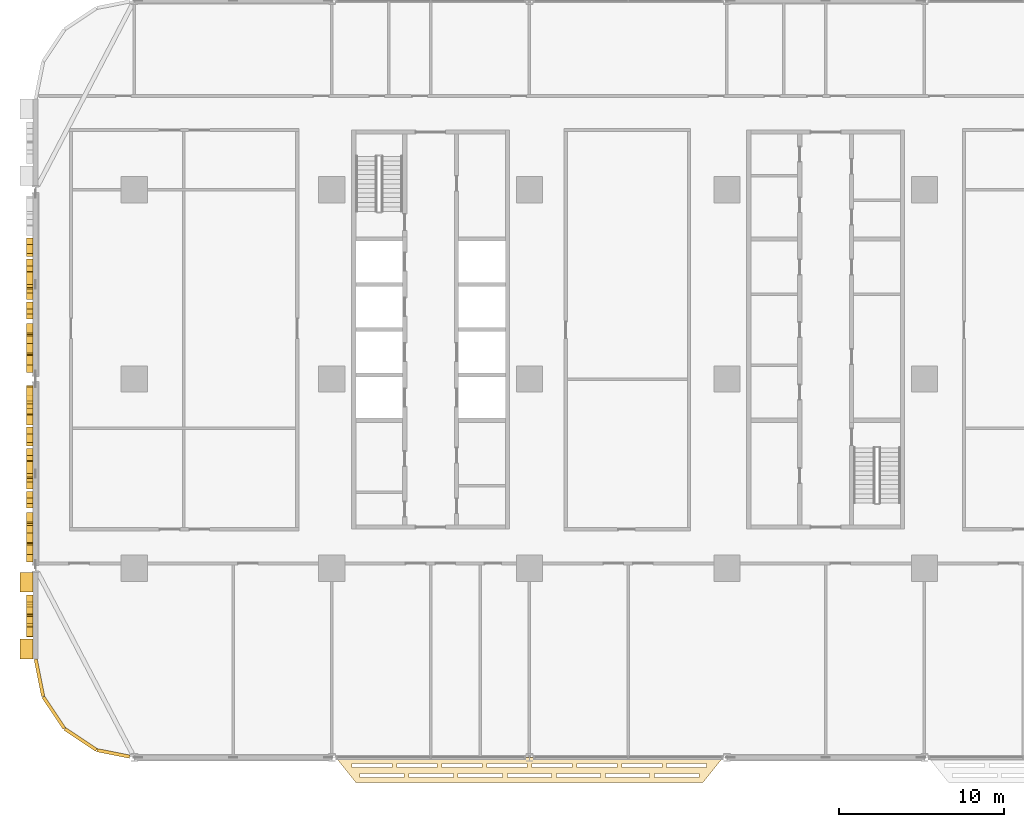
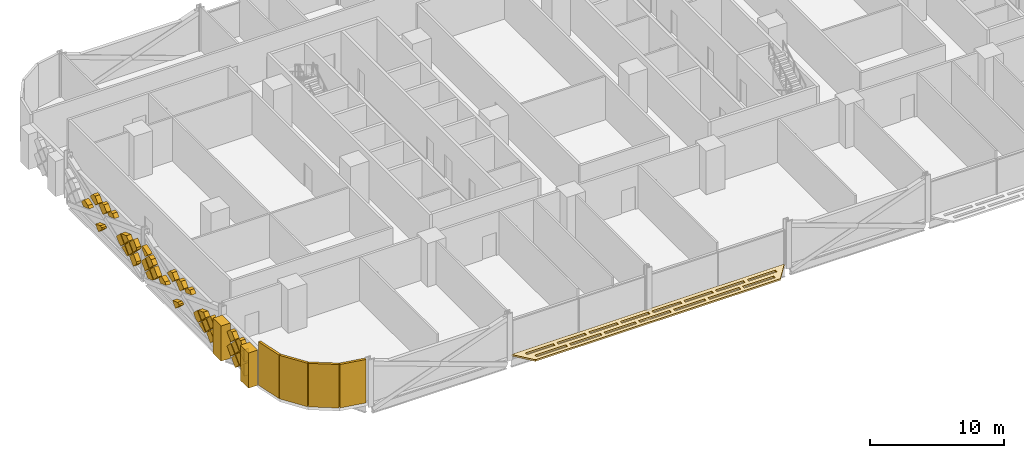
# One storey, part 23 of 29: 42 coverings.
"""IFC4 building model written with IfcOpenShell, lengths in metres."""

import ifcopenshell
import ifcopenshell.guid

model = None  # the IFC model being written
_history = None  # IfcOwnerHistory: only IFC2X3 demands one
_inside = {}  # id of a spatial element -> (the spatial element, [elements in it])
_under = {}  # id of a project, library or spatial element -> (it, [spatial elements below it])
_declared = {}  # id of a project -> (the project, [libraries it declares])
_typed = {}  # id of a type object -> (the type object, [elements of that type])
_made_of = {}  # id of a material, layer set ... -> (it, [elements and type objects made of it])


def new_model(schema):
    """Start an empty IFC model of exactly this schema.

    Asked for "IFC4X3", IfcOpenShell would pick the latest addendum, in which some entities
    have other attributes; the version numbers below select the first issue.
    IFC2X3 requires an IfcOwnerHistory on every rooted entity: one is made here for all.
    """
    global model, _history
    if schema == "IFC4X3":
        model = ifcopenshell.file(schema_version=(4, 3, 0, 0))
    else:
        model = ifcopenshell.file(schema=schema)
    _inside.clear()
    _under.clear()
    _declared.clear()
    _typed.clear()
    _made_of.clear()
    _history = None
    if model.schema == "IFC2X3":
        org = make("IfcOrganization", Name="unknown")
        user = make(
            "IfcPersonAndOrganization",
            ThePerson=make("IfcPerson", FamilyName="unknown"),
            TheOrganization=org,
        )
        app = make(
            "IfcApplication",
            ApplicationDeveloper=org,
            Version="unknown",
            ApplicationFullName="unknown",
            ApplicationIdentifier="unknown",
        )
        _history = make(
            "IfcOwnerHistory",
            OwningUser=user,
            OwningApplication=app,
            ChangeAction="ADDED",
            CreationDate=0,
        )
    return model


def make(cls, **values):
    """One entity of the class cls with the attributes given. An attribute that is None is left unset."""
    return model.create_entity(
        cls, **{name: value for name, value in values.items() if value is not None}
    )


def rooted(cls, **values):
    """An entity with a GlobalId (a new one), such as an element, a storey or a relation."""
    return make(cls, GlobalId=ifcopenshell.guid.new(), OwnerHistory=_history, **values)


def si_unit(unit_type, name, prefix=None):
    """IfcSIUnit, for example si_unit("LENGTHUNIT", "METRE", prefix="MILLI")."""
    return make("IfcSIUnit", UnitType=unit_type, Prefix=prefix, Name=name)


def assignment(units):
    """IfcUnitAssignment: the units of a project."""
    return None if units is None else make("IfcUnitAssignment", Units=units)


def point(xyz):
    """IfcCartesianPoint."""
    return None if xyz is None else make("IfcCartesianPoint", Coordinates=xyz)


def direction(xyz):
    """IfcDirection."""
    return None if xyz is None else make("IfcDirection", DirectionRatios=xyz)


def frame(location, z_axis=None, x_axis=None):
    """IfcAxis2Placement3D, a coordinate frame: its origin and axes. An axis left out is left unset."""
    return make(
        "IfcAxis2Placement3D",
        Location=point(location),
        Axis=direction(z_axis),
        RefDirection=direction(x_axis),
    )


def frame_2d(location, x_axis=None):
    """IfcAxis2Placement2D, a coordinate frame in the plane: its origin and x axis."""
    return make(
        "IfcAxis2Placement2D", Location=point(location), RefDirection=direction(x_axis)
    )


def origin():
    """The frame at (0, 0, 0) with its axes left unset."""
    return frame((0.0, 0.0, 0.0))


def origin_2d():
    """The frame at (0, 0) in the plane with its x axis left unset."""
    return frame_2d((0.0, 0.0))


def place(relative_to, where):
    """IfcLocalPlacement: puts the frame where relative to a parent placement (None: the world)."""
    return make(
        "IfcLocalPlacement", PlacementRelTo=relative_to, RelativePlacement=where
    )


def context(
    kind, dimensions, precision=None, world=None, true_north=None, identifier=None
):
    """IfcGeometricRepresentationContext, for example the 3D "Model" context."""
    return make(
        "IfcGeometricRepresentationContext",
        ContextIdentifier=identifier,
        ContextType=kind,
        CoordinateSpaceDimension=dimensions,
        Precision=precision,
        WorldCoordinateSystem=world,
        TrueNorth=true_north,
    )


def subcontext(parent, identifier, kind, view, scale=None):
    """IfcGeometricRepresentationSubContext, for example "Body" below "Model"."""
    return make(
        "IfcGeometricRepresentationSubContext",
        ContextIdentifier=identifier,
        ContextType=kind,
        ParentContext=parent,
        TargetScale=scale,
        TargetView=view,
    )


def project(units=None, contexts=None):
    """IfcProject with its units and contexts."""
    return rooted(
        "IfcProject",
        Name="project",
        RepresentationContexts=contexts,
        UnitsInContext=assignment(units),
    )


def spatial(cls, under=None, at=None, **own):
    """A site, building, storey or space (cls), placed at a placement, below another one or the project."""
    s = rooted(cls, ObjectPlacement=at, **own)
    if under is not None:
        _under.setdefault(under.id(), (under, []))[1].append(s)
    return s


def polyline(points):
    """IfcPolyline through the points."""
    return make("IfcPolyline", Points=[point(p) for p in points])


def profile(cls, at=None, kind="AREA", **sizes):
    """A parametric profile (cls). Its sizes go by their IFC names, for example OverallWidth=200.0."""
    return make(cls, ProfileType=kind, Position=at, **sizes)


def rectangle(**sizes):
    """IfcRectangleProfileDef."""
    return profile("IfcRectangleProfileDef", **sizes)


def outline(outer, holes=None, kind="AREA"):
    """IfcArbitraryClosedProfileDef: a profile drawn as a closed curve; with holes, ...WithVoids."""
    if holes is None:
        return make("IfcArbitraryClosedProfileDef", ProfileType=kind, OuterCurve=outer)
    return make(
        "IfcArbitraryProfileDefWithVoids",
        ProfileType=kind,
        OuterCurve=outer,
        InnerCurves=holes,
    )


def extrude(swept, where, along, depth):
    """IfcExtrudedAreaSolid: the profile swept, set in the frame where, extruded along a direction by depth."""
    return make(
        "IfcExtrudedAreaSolid",
        SweptArea=swept,
        Position=where,
        ExtrudedDirection=direction(along),
        Depth=depth,
    )


def shape(context_of_items, identifier, shape_type, items):
    """IfcShapeRepresentation: the items that make up one representation, for example the "Body"."""
    return make(
        "IfcShapeRepresentation",
        ContextOfItems=context_of_items,
        RepresentationIdentifier=identifier,
        RepresentationType=shape_type,
        Items=items,
    )


def material(Name=None, Category=None):
    """IfcMaterial."""
    return make("IfcMaterial", Name=Name, Category=Category)


def layer(
    of_material, thickness, ventilated=None, Name=None, Category=None, Priority=None
):
    """IfcMaterialLayer: one layer of a wall or slab, of a material (None: an air gap)."""
    return make(
        "IfcMaterialLayer",
        Material=of_material,
        LayerThickness=thickness,
        IsVentilated=ventilated,
        Name=Name,
        Category=Category,
        Priority=Priority,
    )


def layer_set(layers, Name=None):
    """IfcMaterialLayerSet."""
    return make("IfcMaterialLayerSet", MaterialLayers=layers, LayerSetName=Name)


def made_of(thing, what):
    """Note that an element or type object is made of a material, layer set ...; save() writes the relation."""
    if what is not None:
        _made_of.setdefault(what.id(), (what, []))[1].append(thing)
    return thing


def type_object(cls, material=None, **own):
    """A type object (cls), such as IfcWallType, which elements share."""
    return made_of(rooted(cls, **own), material)


def element(
    cls,
    number,
    at=None,
    inside=None,
    cuts=None,
    type_object=None,
    material=None,
    context=None,
    identifier="Body",
    shape_type=None,
    held_by="IfcProductDefinitionShape",
    body=None,
    shapes=None,
    **own,
):
    """One element of the class cls, such as IfcWall. Its Tag is "e" and its number.

    at: its placement. inside: the storey or other place that contains it. cuts: it is an
    opening in that element (IfcRelVoidsElement). A single representation is given by context,
    identifier, shape_type and body (its items); several are given by shapes. held_by: the class
    of the entity that holds the representations. save() writes the other relations.
    """
    e = rooted(cls, Tag="e%d" % number, ObjectPlacement=at, **own)
    if body is not None:
        shapes = [shape(context, identifier, shape_type, body)]
    if shapes is not None:
        e.Representation = make(held_by, Representations=shapes)
    if inside is not None:
        _inside.setdefault(inside.id(), (inside, []))[1].append(e)
    if cuts is not None:
        rooted(
            "IfcRelVoidsElement", RelatingBuildingElement=cuts, RelatedOpeningElement=e
        )
    if type_object is not None:
        _typed.setdefault(type_object.id(), (type_object, []))[1].append(e)
    return made_of(e, material)


def aggregate(whole, parts):
    """IfcRelAggregates: a whole, such as a stair, and the parts it consists of."""
    return rooted("IfcRelAggregates", RelatingObject=whole, RelatedObjects=parts)


def save(model, path):
    """Write the relations noted so far, then the file.

    IfcRelAggregates (storeys below a building ...), IfcRelContainedInSpatialStructure (elements
    in a storey), IfcRelDefinesByType, IfcRelAssociatesMaterial and IfcRelDeclares: one each for
    every whole, place, type object, material and project.
    """
    for whole, parts in _under.values():
        aggregate(whole, parts)
    for where, things in _inside.values():
        rooted(
            "IfcRelContainedInSpatialStructure",
            RelatedElements=things,
            RelatingStructure=where,
        )
    for kind, things in _typed.values():
        rooted("IfcRelDefinesByType", RelatedObjects=things, RelatingType=kind)
    for what, things in _made_of.values():
        rooted("IfcRelAssociatesMaterial", RelatedObjects=things, RelatingMaterial=what)
    for by, libraries in _declared.values():
        rooted("IfcRelDeclares", RelatingContext=by, RelatedDefinitions=libraries)
    model.write(path)


model = new_model("IFC4")

# Units and contexts
model_context = context("Model", 3, precision=1e-05, world=origin(), true_north=direction((0.0, 1.0)))
body_context = subcontext(model_context, "Body", "Model", "MODEL_VIEW")
ifc_project = project(units=[si_unit("LENGTHUNIT", "METRE"), si_unit("AREAUNIT", "SQUARE_METRE"), si_unit("VOLUMEUNIT", "CUBIC_METRE"), si_unit("PLANEANGLEUNIT", "RADIAN"), si_unit("MASSUNIT", "GRAM", prefix="KILO")], contexts=[model_context])

# Site, building, storey
site_placement = place(None, origin())
site = spatial("IfcSite", under=ifc_project, at=site_placement, CompositionType="ELEMENT")
building_placement = place(site_placement, origin())
building = spatial("IfcBuilding", under=site, at=building_placement, Name="Mahtab Terrace Research Tower", CompositionType="ELEMENT")
storey_placement = place(building_placement, frame((0.0, 0.0, 20.10009765625)))
storey = spatial("IfcBuildingStorey", under=building, at=storey_placement, Name="L04", CompositionType="ELEMENT", Elevation=20.10009765625)

# Coverings
ifc_material_1 = material(Name="Black aluminium cladding panel", Category="aluminium")
ifc_layer_1 = layer(ifc_material_1, 0.199951171875)
ifc_layer_set_1 = layer_set([ifc_layer_1], Name="Black metal corner cladding 200")
covering_type_1 = type_object("IfcCoveringType", Name="Black metal corner cladding 200", PredefinedType="CLADDING", material=ifc_layer_set_1)
for number, where, z_axis, x_axis, name in (
    (1, (-47.771484375, -18.14794921875, 0.0), (0.0, 0.0, 1.0), (0.195212442692, -0.980760981187, 0.0), "Corner cladding L04 18"),
    (2, (-46.89306640625, -20.26953125, 0.0), (0.0, 0.0, 1.0), (0.555291490808, -0.831655794326, 0.0), "Corner cladding L04 19"),
    (3, (-45.26953125, -21.89306640625, 0.0), (0.0, 0.0, 1.0), (0.831655794326, -0.555291490808, 0.0), "Corner cladding L04 20"),
):
    element("IfcCovering", number, at=place(storey_placement, frame(where, z_axis=z_axis, x_axis=x_axis)), inside=storey, type_object=covering_type_1, Name=name, PredefinedType="CLADDING", context=body_context, shape_type="SweptSolid", body=[
        extrude(rectangle(XDim=2.30126953125, YDim=0.199951171875, at=origin_2d()), origin(), (0.0, 0.0, 1.0), 3.9599609375),
    ])
covering_1_placement = place(storey_placement, frame((-43.28173828125, -22.744873046875, 0.0), z_axis=(0.0, 0.0, 1.0), x_axis=(0.980760981187, -0.195212442692, 0.0)))
element("IfcCovering", 4, at=covering_1_placement, inside=storey, type_object=covering_type_1, Name="Corner cladding L04 21", PredefinedType="CLADDING", context=body_context, shape_type="SweptSolid", body=[
    extrude(rectangle(XDim=2.0283203125, YDim=0.199951171875, at=origin_2d()), origin(), (0.0, 0.0, 1.0), 3.9599609375),
])
ifc_material_2 = material(Name="Black anodised aluminium", Category="aluminium")
ifc_layer_2 = layer(ifc_material_2, 0.14990234375)
ifc_layer_set_2 = layer_set([ifc_layer_2], Name="Horizontal sunshade band")
covering_type_2 = type_object("IfcCoveringType", Name="Horizontal sunshade band", PredefinedType="CLADDING", material=ifc_layer_set_2)
covering_2_placement = place(storey_placement, frame((0.0, 0.0, -0.150146484375)))
element("IfcCovering", 5, at=covering_2_placement, inside=storey, type_object=covering_type_2, Name="Sunshade band L04 23", PredefinedType="CLADDING", context=body_context, shape_type="SweptSolid", body=[
    extrude(outline(polyline([(-29.7509765625, -23.0), (-6.2490234375, -23.0), (-7.448974609375, -24.5), (-28.551025390625, -24.5), (-29.7509765625, -23.0)]), holes=[polyline([(-28.77099609375, -23.35009765625), (-26.341064453125, -23.35009765625), (-26.341064453125, -23.60009765625), (-28.77099609375, -23.60009765625), (-28.77099609375, -23.35009765625)]), polyline([(-26.041015625, -23.35009765625), (-23.611083984375, -23.35009765625), (-23.611083984375, -23.60009765625), (-26.041015625, -23.60009765625), (-26.041015625, -23.35009765625)]), polyline([(-23.31103515625, -23.35009765625), (-20.8798828125, -23.35009765625), (-20.8798828125, -23.60009765625), (-23.31103515625, -23.60009765625), (-23.31103515625, -23.35009765625)]), polyline([(-20.580078125, -23.35009765625), (-18.14990234375, -23.35009765625), (-18.14990234375, -23.60009765625), (-20.580078125, -23.60009765625), (-20.580078125, -23.35009765625)]), polyline([(-17.85009765625, -23.35009765625), (-15.419921875, -23.35009765625), (-15.419921875, -23.60009765625), (-17.85009765625, -23.60009765625), (-17.85009765625, -23.35009765625)]), polyline([(-15.1201171875, -23.35009765625), (-12.68994140625, -23.35009765625), (-12.68994140625, -23.60009765625), (-15.1201171875, -23.60009765625), (-15.1201171875, -23.35009765625)]), polyline([(-12.389892578125, -23.35009765625), (-9.958984375, -23.35009765625), (-9.958984375, -23.60009765625), (-12.389892578125, -23.60009765625), (-12.389892578125, -23.35009765625)]), polyline([(-9.658935546875, -23.35009765625), (-7.22900390625, -23.35009765625), (-7.22900390625, -23.60009765625), (-9.658935546875, -23.60009765625), (-9.658935546875, -23.35009765625)]), polyline([(-28.291015625, -23.949951171875), (-25.60791015625, -23.949951171875), (-25.60791015625, -24.199951171875), (-28.291015625, -24.199951171875), (-28.291015625, -23.949951171875)]), polyline([(-25.30810546875, -23.949951171875), (-22.625, -23.949951171875), (-22.625, -24.199951171875), (-25.30810546875, -24.199951171875), (-25.30810546875, -23.949951171875)]), polyline([(-22.324951171875, -23.949951171875), (-19.64208984375, -23.949951171875), (-19.64208984375, -24.199951171875), (-22.324951171875, -24.199951171875), (-22.324951171875, -23.949951171875)]), polyline([(-19.342041015625, -23.949951171875), (-16.657958984375, -23.949951171875), (-16.657958984375, -24.199951171875), (-19.342041015625, -24.199951171875), (-19.342041015625, -23.949951171875)]), polyline([(-16.35791015625, -23.949951171875), (-13.675048828125, -23.949951171875), (-13.675048828125, -24.199951171875), (-16.35791015625, -24.199951171875), (-16.35791015625, -23.949951171875)]), polyline([(-13.375, -23.949951171875), (-10.69189453125, -23.949951171875), (-10.69189453125, -24.199951171875), (-13.375, -24.199951171875), (-13.375, -23.949951171875)]), polyline([(-10.39208984375, -23.949951171875), (-7.708984375, -23.949951171875), (-7.708984375, -24.199951171875), (-10.39208984375, -24.199951171875), (-10.39208984375, -23.949951171875)])]), origin(), (0.0, 0.0, 1.0), 0.150146484375),
])
ifc_material_3 = material(Name="Bronze anodised aluminium", Category="aluminium")
ifc_layer_3 = layer(ifc_material_3, 0.39990234375)
ifc_layer_set_3 = layer_set([ifc_layer_3], Name="Mashrabiya relief panel 400")
covering_type_3 = type_object("IfcCoveringType", Name="Mashrabiya relief panel 400", PredefinedType="CLADDING", material=ifc_layer_set_3)
covering_3_placement = place(storey_placement, frame((-48.14990234375, 8.5810546875, 1.349853515625), z_axis=(1.0, 0.0, 0.0), x_axis=(0.0, -0.707106781187, 0.707106781187)))
element("IfcCovering", 6, at=covering_3_placement, inside=storey, type_object=covering_type_3, Name="Mashrabiya lattice cell L04 W15.6", PredefinedType="CLADDING", context=body_context, shape_type="SweptSolid", body=[
    extrude(outline(polyline([(0.0, 0.0), (0.5828106673060998, 0.0), (0.820181718119455, 0.5232521127383852), (0.820181718119455, 0.7877266217173381), (0.0, 0.4143203796014927), (0.0, 0.0)])), origin(), (0.0, 0.0, -1.0), 0.39990234375),
])
covering_4_placement = place(storey_placement, frame((-48.14990234375, 7.281005859375, 2.64990234375), z_axis=(1.0, 0.0, 0.0), x_axis=(0.0, -0.707106781187, 0.707106781187)))
element("IfcCovering", 7, at=covering_4_placement, inside=storey, type_object=covering_type_3, Name="Mashrabiya lattice cell L04 W15.7", PredefinedType="CLADDING", context=body_context, shape_type="SweptSolid", body=[
    extrude(outline(polyline([(0.0, 0.0), (0.5910970748981296, 0.0), (0.8201817181194548, 0.22908464322132532), (0.820181718119455, 0.820181718119455), (0.2998643747365804, 0.8201817181194551), (0.0, 0.1612396810615809), (0.0, 0.0)])), origin(), (0.0, 0.0, -1.0), 0.39990234375),
])
covering_5_placement = place(storey_placement, frame((-48.14990234375, 6.5048828125, 0.573974609375), z_axis=(1.0, 0.0, 0.0), x_axis=(0.0, -0.936378949952, 0.350990686609)))
element("IfcCovering", 8, at=covering_5_placement, inside=storey, type_object=covering_type_3, Name="Mashrabiya lattice cell L04 W15.8", PredefinedType="CLADDING", context=body_context, shape_type="SweptSolid", body=[
    extrude(outline(polyline([(0.0, 0.0), (0.8061723435137438, 0.0), (0.9632086144404626, 0.13682101187408682), (1.0123720818696944, 0.24493994619465853), (0.28508366902724425, 0.5756500148901318), (0.2569648675516253, 0.5651100113615928), (0.0, 0.0)])), origin(), (0.0, 0.0, -1.0), 0.39990234375),
])
covering_6_placement = place(storey_placement, frame((-48.14990234375, 5.98095703125, 2.64990234375), z_axis=(1.0, 0.0, 0.0), x_axis=(0.0, -0.707106781187, 0.707106781187)))
element("IfcCovering", 9, at=covering_6_placement, inside=storey, type_object=covering_type_3, Name="Mashrabiya lattice cell L04 W15.9", PredefinedType="CLADDING", context=body_context, shape_type="SweptSolid", body=[
    extrude(outline(polyline([(0.0, 0.0), (0.5910970748981296, 0.0), (0.8201817181194548, 0.22908464322132532), (0.820181718119455, 0.820181718119455), (0.14984587062253985, 0.8203543516109556), (0.0, 0.7509556880277055), (0.0, 0.0)])), origin(), (0.0, 0.0, -1.0), 0.39990234375),
])
covering_7_placement = place(storey_placement, frame((-48.14990234375, 4.680908203125, 2.64990234375), z_axis=(1.0, 0.0, 0.0), x_axis=(0.0, -0.707106781187, 0.707106781187)))
element("IfcCovering", 10, at=covering_7_placement, inside=storey, type_object=covering_type_3, Name="Mashrabiya lattice cell L04 W15.10", PredefinedType="CLADDING", context=body_context, shape_type="SweptSolid", body=[
    extrude(outline(polyline([(0.0, 0.0), (0.5910970748981296, 0.0), (0.8201817181194548, 0.22908464322132532), (0.820181718119455, 0.6251058727237521), (0.0, 0.25169963060790684), (0.0, 0.0)])), origin(), (0.0, 0.0, -1.0), 0.39990234375),
])
covering_8_placement = place(storey_placement, frame((-48.14990234375, 3.381103515625, 1.349853515625), z_axis=(1.0, 0.0, 0.0), x_axis=(0.0, -0.707106781187, 0.707106781187)))
element("IfcCovering", 11, at=covering_8_placement, inside=storey, type_object=covering_type_3, Name="Mashrabiya lattice cell L04 W15.11", PredefinedType="CLADDING", context=body_context, shape_type="SweptSolid", body=[
    extrude(outline(polyline([(0.0, 0.0), (0.8203543516109556, 0.0), (0.8203543516109556, 0.8203543516109556), (0.13724362574299442, 0.820181718119455), (0.0001726334915006511, 0.5191089089423703), (0.0, 0.0)])), origin(), (0.0, 0.0, -1.0), 0.39990234375),
])
covering_9_placement = place(storey_placement, frame((-48.14990234375, 2.15087890625, 1.27978515625), z_axis=(1.0, 0.0, 0.0), x_axis=(0.0, -0.707106781187, -0.707106781187)))
element("IfcCovering", 12, at=covering_9_placement, inside=storey, type_object=covering_type_3, Name="Mashrabiya lattice cell L04 W15.12", PredefinedType="CLADDING", context=body_context, shape_type="SweptSolid", body=[
    extrude(outline(polyline([(0.0, 0.0), (0.8200090846279543, 0.0), (0.8200090846279544, 0.2644745089789529), (-0.0001726334915005956, 0.6378807510947981), (0.0, 0.0)])), origin(), (0.0, 0.0, -1.0), 0.39990234375),
])
covering_10_placement = place(storey_placement, frame((-48.14990234375, 1.571044921875, 2.0), z_axis=(1.0, 0.0, 0.0), x_axis=(0.0, 0.706957932274, -0.707255598772)))
element("IfcCovering", 13, at=covering_10_placement, inside=storey, type_object=covering_type_3, Name="Mashrabiya lattice cell L04 W15.13", PredefinedType="CLADDING", context=body_context, shape_type="SweptSolid", body=[
    extrude(outline(polyline([(0.0, 0.0), (0.8201817362875763, 0.0), (0.8200120460355347, 0.8061983874495325), (-9.076793353315904e-05, 0.4312384522160455), (0.0, 0.0)])), origin(), (0.0, 0.0, -1.0), 0.39990234375),
])
covering_11_placement = place(storey_placement, frame((-48.14990234375, 1.5009765625, 1.929931640625), z_axis=(1.0, 0.0, 0.0), x_axis=(0.0, -0.707106781187, -0.707106781187)))
element("IfcCovering", 14, at=covering_11_placement, inside=storey, type_object=covering_type_3, Name="Mashrabiya lattice cell L04 W15.14", PredefinedType="CLADDING", context=body_context, shape_type="SweptSolid", body=[
    extrude(outline(polyline([(0.0, 0.0), (0.8203543516109556, 0.0), (0.820181718119455, 0.820181718119455), (0.0, 0.8203543516109556), (0.0, 0.0)])), origin(), (0.0, 0.0, -1.0), 0.39990234375),
])
covering_12_placement = place(storey_placement, frame((-48.14990234375, 1.430908203125, 0.699951171875), z_axis=(1.0, 0.0, 0.0), x_axis=(0.0, -0.707106781187, 0.707106781187)))
element("IfcCovering", 15, at=covering_12_placement, inside=storey, type_object=covering_type_3, Name="Mashrabiya lattice cell L04 W15.15", PredefinedType="CLADDING", context=body_context, shape_type="SweptSolid", body=[
    extrude(outline(polyline([(0.0, 0.0), (0.8200090846279543, 0.0), (0.8201817181194551, 0.660323104989879), (0.660323104989879, 0.8201817181194551), (0.05645115172070336, 0.820181718119455), (-0.0001726334915006511, 0.6972666721710121), (0.0, 0.0)])), origin(), (0.0, 0.0, -1.0), 0.39990234375),
])
covering_13_placement = place(storey_placement, frame((-48.14990234375, 0.85107421875, 1.419921875), z_axis=(1.0, 0.0, 0.0), x_axis=(0.0, 0.706957932274, 0.707255598772)))
element("IfcCovering", 16, at=covering_13_placement, inside=storey, type_object=covering_type_3, Name="Mashrabiya lattice cell L04 W15.16", PredefinedType="CLADDING", context=body_context, shape_type="SweptSolid", body=[
    extrude(outline(polyline([(0.0, 0.0), (0.8201817362875763, 0.0), (0.8203543334390104, 0.8200090664636573), (0.15985860958849407, 0.8201480889271073), (0.00013902246344993374, 0.6604957238505165), (0.0, 0.0)])), origin(), (0.0, 0.0, -1.0), 0.39990234375),
])
covering_14_placement = place(storey_placement, frame((-48.14990234375, -0.89892578125, 1.929931640625), z_axis=(1.0, 0.0, 0.0), x_axis=(0.0, -0.707106781187, -0.707106781187)))
element("IfcCovering", 17, at=covering_14_placement, inside=storey, type_object=covering_type_3, Name="Mashrabiya lattice cell L04 W16.1", PredefinedType="CLADDING", context=body_context, shape_type="SweptSolid", body=[
    extrude(outline(polyline([(0.0, 0.0), (0.8203543516109556, 0.0), (0.820181718119455, 0.820181718119455), (0.0920136509698315, 0.820181718119455), (0.0001726334915005956, 0.728340700641124), (0.0, 0.0)])), origin(), (0.0, 0.0, -1.0), 0.39990234375),
])
covering_15_placement = place(storey_placement, frame((-48.14990234375, -0.89892578125, 2.06982421875), z_axis=(1.0, 0.0, 0.0), x_axis=(0.0, 0.706939160764, 0.707274361884)))
element("IfcCovering", 18, at=covering_15_placement, inside=storey, type_object=covering_type_3, Name="Mashrabiya lattice cell L04 W16.2", PredefinedType="CLADDING", context=body_context, shape_type="SweptSolid", body=[
    extrude(outline(polyline([(0.0, 0.0), (0.728340721100177, 5.551115123125783e-17), (0.8202035044307674, 0.09181924646645268), (0.8204123504406912, 0.24459984123479744), (0.00014648681730550228, 0.618027882211855), (0.0, 0.0)])), origin(), (0.0, 0.0, -1.0), 0.39990234375),
])
covering_16_placement = place(storey_placement, frame((-48.14990234375, -0.968994140625, 0.699951171875), z_axis=(1.0, 0.0, 0.0), x_axis=(0.0, -0.707255598772, 0.706957932274)))
element("IfcCovering", 19, at=covering_16_placement, inside=storey, type_object=covering_type_3, Name="Mashrabiya lattice cell L04 W16.3", PredefinedType="CLADDING", context=body_context, shape_type="SweptSolid", body=[
    extrude(outline(polyline([(0.0, 0.0), (0.8201817362875763, 0.0), (0.8203543334390104, 0.8200090664636573), (0.7129763041041904, 0.8200316676064345), (0.00010421234322383066, 0.49511284265637245), (0.0, 0.0)])), origin(), (0.0, 0.0, -1.0), 0.39990234375),
])
covering_17_placement = place(storey_placement, frame((-48.14990234375, -2.12890625, 2.0), z_axis=(1.0, 0.0, 0.0), x_axis=(0.0, 0.706957932274, -0.707255598772)))
element("IfcCovering", 20, at=covering_17_placement, inside=storey, type_object=covering_type_3, Name="Mashrabiya lattice cell L04 W16.4", PredefinedType="CLADDING", context=body_context, shape_type="SweptSolid", body=[
    extrude(outline(polyline([(0.0, 0.0), (0.8201817362875763, 0.0), (0.8200090664636573, 0.8203543334390104), (0.15675120681031596, 0.8202147295956821), (-0.00010028802904385459, 0.4764684259873041), (0.0, 0.0)])), origin(), (0.0, 0.0, -1.0), 0.39990234375),
])
covering_18_placement = place(storey_placement, frame((-48.14990234375, -2.198974609375, 1.929931640625), z_axis=(1.0, 0.0, 0.0), x_axis=(0.0, -0.707106781187, -0.707106781187)))
element("IfcCovering", 21, at=covering_18_placement, inside=storey, type_object=covering_type_3, Name="Mashrabiya lattice cell L04 W16.5", PredefinedType="CLADDING", context=body_context, shape_type="SweptSolid", body=[
    extrude(outline(polyline([(0.0, 0.0), (0.8203543516109556, 0.0), (0.820181718119455, 0.820181718119455), (0.0, 0.8203543516109556), (0.0, 0.0)])), origin(), (0.0, 0.0, -1.0), 0.39990234375),
])
covering_19_placement = place(storey_placement, frame((-48.14990234375, -2.9189453125, 1.349853515625), z_axis=(1.0, 0.0, 0.0), x_axis=(0.0, -0.707106781187, 0.707106781187)))
element("IfcCovering", 22, at=covering_19_placement, inside=storey, type_object=covering_type_3, Name="Mashrabiya lattice cell L04 W16.6", PredefinedType="CLADDING", context=body_context, shape_type="SweptSolid", body=[
    extrude(outline(polyline([(0.0, 0.0), (0.5828106673060998, 0.0), (0.820181718119455, 0.5232521127383852), (0.820181718119455, 0.7877266217173381), (0.0, 0.4143203796014927), (0.0, 0.0)])), origin(), (0.0, 0.0, -1.0), 0.39990234375),
])
covering_20_placement = place(storey_placement, frame((-48.14990234375, -4.218994140625, 2.64990234375), z_axis=(1.0, 0.0, 0.0), x_axis=(0.0, -0.707106781187, 0.707106781187)))
element("IfcCovering", 23, at=covering_20_placement, inside=storey, type_object=covering_type_3, Name="Mashrabiya lattice cell L04 W16.7", PredefinedType="CLADDING", context=body_context, shape_type="SweptSolid", body=[
    extrude(outline(polyline([(0.0, 0.0), (0.5910970748981296, 0.0), (0.8201817181194548, 0.22908464322132532), (0.820181718119455, 0.820181718119455), (0.2998643747365804, 0.8201817181194551), (0.0, 0.1612396810615809), (0.0, 0.0)])), origin(), (0.0, 0.0, -1.0), 0.39990234375),
])
covering_21_placement = place(storey_placement, frame((-48.14990234375, -4.9951171875, 0.573974609375), z_axis=(1.0, 0.0, 0.0), x_axis=(0.0, -0.936378949952, 0.350990686609)))
element("IfcCovering", 24, at=covering_21_placement, inside=storey, type_object=covering_type_3, Name="Mashrabiya lattice cell L04 W16.8", PredefinedType="CLADDING", context=body_context, shape_type="SweptSolid", body=[
    extrude(outline(polyline([(0.0, 0.0), (0.8061723435137438, 0.0), (0.9632086144404626, 0.13682101187408682), (1.0123720818696944, 0.24493994619465853), (0.28508366902724425, 0.5756500148901318), (0.2569648675516253, 0.5651100113615928), (0.0, 0.0)])), origin(), (0.0, 0.0, -1.0), 0.39990234375),
])
covering_22_placement = place(storey_placement, frame((-48.14990234375, -5.51904296875, 2.64990234375), z_axis=(1.0, 0.0, 0.0), x_axis=(0.0, -0.707106781187, 0.707106781187)))
element("IfcCovering", 25, at=covering_22_placement, inside=storey, type_object=covering_type_3, Name="Mashrabiya lattice cell L04 W16.9", PredefinedType="CLADDING", context=body_context, shape_type="SweptSolid", body=[
    extrude(outline(polyline([(0.0, 0.0), (0.5910970748981296, 0.0), (0.8201817181194548, 0.22908464322132532), (0.820181718119455, 0.820181718119455), (0.14984587062253985, 0.8203543516109556), (0.0, 0.7509556880277055), (0.0, 0.0)])), origin(), (0.0, 0.0, -1.0), 0.39990234375),
])
covering_23_placement = place(storey_placement, frame((-48.14990234375, -6.819091796875, 2.64990234375), z_axis=(1.0, 0.0, 0.0), x_axis=(0.0, -0.707106781187, 0.707106781187)))
element("IfcCovering", 26, at=covering_23_placement, inside=storey, type_object=covering_type_3, Name="Mashrabiya lattice cell L04 W16.10", PredefinedType="CLADDING", context=body_context, shape_type="SweptSolid", body=[
    extrude(outline(polyline([(0.0, 0.0), (0.5910970748981296, 0.0), (0.8201817181194548, 0.22908464322132532), (0.820181718119455, 0.6251058727237521), (0.0, 0.25169963060790684), (0.0, 0.0)])), origin(), (0.0, 0.0, -1.0), 0.39990234375),
])
covering_24_placement = place(storey_placement, frame((-48.14990234375, -8.118896484375, 1.349853515625), z_axis=(1.0, 0.0, 0.0), x_axis=(0.0, -0.707106781187, 0.707106781187)))
element("IfcCovering", 27, at=covering_24_placement, inside=storey, type_object=covering_type_3, Name="Mashrabiya lattice cell L04 W16.11", PredefinedType="CLADDING", context=body_context, shape_type="SweptSolid", body=[
    extrude(outline(polyline([(0.0, 0.0), (0.8203543516109556, 0.0), (0.8203543516109556, 0.8203543516109556), (0.13724362574299442, 0.820181718119455), (0.0001726334915006511, 0.5191089089423703), (0.0, 0.0)])), origin(), (0.0, 0.0, -1.0), 0.39990234375),
])
covering_25_placement = place(storey_placement, frame((-48.14990234375, -9.34912109375, 1.27978515625), z_axis=(1.0, 0.0, 0.0), x_axis=(0.0, -0.707106781187, -0.707106781187)))
element("IfcCovering", 28, at=covering_25_placement, inside=storey, type_object=covering_type_3, Name="Mashrabiya lattice cell L04 W16.12", PredefinedType="CLADDING", context=body_context, shape_type="SweptSolid", body=[
    extrude(outline(polyline([(0.0, 0.0), (0.8200090846279543, 0.0), (0.8200090846279544, 0.2644745089789529), (-0.0001726334915005956, 0.6378807510947981), (0.0, 0.0)])), origin(), (0.0, 0.0, -1.0), 0.39990234375),
])
covering_26_placement = place(storey_placement, frame((-48.14990234375, -9.928955078125, 2.0), z_axis=(1.0, 0.0, 0.0), x_axis=(0.0, 0.706957932274, -0.707255598772)))
element("IfcCovering", 29, at=covering_26_placement, inside=storey, type_object=covering_type_3, Name="Mashrabiya lattice cell L04 W16.13", PredefinedType="CLADDING", context=body_context, shape_type="SweptSolid", body=[
    extrude(outline(polyline([(0.0, 0.0), (0.8201817362875763, 0.0), (0.8200120460355347, 0.8061983874495325), (-9.076793353315904e-05, 0.4312384522160455), (0.0, 0.0)])), origin(), (0.0, 0.0, -1.0), 0.39990234375),
])
covering_27_placement = place(storey_placement, frame((-48.14990234375, -9.9990234375, 1.929931640625), z_axis=(1.0, 0.0, 0.0), x_axis=(0.0, -0.707106781187, -0.707106781187)))
element("IfcCovering", 30, at=covering_27_placement, inside=storey, type_object=covering_type_3, Name="Mashrabiya lattice cell L04 W16.14", PredefinedType="CLADDING", context=body_context, shape_type="SweptSolid", body=[
    extrude(outline(polyline([(0.0, 0.0), (0.8203543516109556, 0.0), (0.820181718119455, 0.820181718119455), (0.0, 0.8203543516109556), (0.0, 0.0)])), origin(), (0.0, 0.0, -1.0), 0.39990234375),
])
covering_28_placement = place(storey_placement, frame((-48.14990234375, -10.069091796875, 0.699951171875), z_axis=(1.0, 0.0, 0.0), x_axis=(0.0, -0.707106781187, 0.707106781187)))
element("IfcCovering", 31, at=covering_28_placement, inside=storey, type_object=covering_type_3, Name="Mashrabiya lattice cell L04 W16.15", PredefinedType="CLADDING", context=body_context, shape_type="SweptSolid", body=[
    extrude(outline(polyline([(0.0, 0.0), (0.8200090846279543, 0.0), (0.8201817181194551, 0.660323104989879), (0.660323104989879, 0.8201817181194551), (0.05645115172070336, 0.820181718119455), (-0.0001726334915006511, 0.6972666721710121), (0.0, 0.0)])), origin(), (0.0, 0.0, -1.0), 0.39990234375),
])
covering_29_placement = place(storey_placement, frame((-48.14990234375, -10.64892578125, 1.419921875), z_axis=(1.0, 0.0, 0.0), x_axis=(0.0, 0.706957932274, 0.707255598772)))
element("IfcCovering", 32, at=covering_29_placement, inside=storey, type_object=covering_type_3, Name="Mashrabiya lattice cell L04 W16.16", PredefinedType="CLADDING", context=body_context, shape_type="SweptSolid", body=[
    extrude(outline(polyline([(0.0, 0.0), (0.8201817362875763, 0.0), (0.8203543334390104, 0.8200090664636573), (0.15985860958849407, 0.8201480889271073), (0.00013902246344993374, 0.6604957238505165), (0.0, 0.0)])), origin(), (0.0, 0.0, -1.0), 0.39990234375),
])
covering_30_placement = place(storey_placement, frame((-48.14990234375, -13.698974609375, 1.929931640625), z_axis=(1.0, 0.0, 0.0), x_axis=(0.0, -0.707106781187, -0.707106781187)))
element("IfcCovering", 33, at=covering_30_placement, inside=storey, type_object=covering_type_3, Name="Mashrabiya lattice cell L04 W17.1", PredefinedType="CLADDING", context=body_context, shape_type="SweptSolid", body=[
    extrude(outline(polyline([(0.0, 0.0), (0.8203543516109556, 0.0), (0.820181718119455, 0.820181718119455), (0.0, 0.8203543516109556), (0.0, 0.0)])), origin(), (0.0, 0.0, -1.0), 0.39990234375),
])
covering_31_placement = place(storey_placement, frame((-48.14990234375, -14.279052734375, 2.64990234375), z_axis=(1.0, 0.0, 0.0), x_axis=(0.0, 0.707106781187, -0.707106781187)))
element("IfcCovering", 34, at=covering_31_placement, inside=storey, type_object=covering_type_3, Name="Mashrabiya lattice cell L04 W17.2", PredefinedType="CLADDING", context=body_context, shape_type="SweptSolid", body=[
    extrude(outline(polyline([(0.0, 0.0), (0.8203543516109556, 0.0), (0.8203543516109556, 0.8203543516109556), (0.22908464322132532, 0.8201817181194548), (0.0, 0.5910970748981296), (0.0, 0.0)])), origin(), (0.0, 0.0, -1.0), 0.39990234375),
])
covering_32_placement = place(storey_placement, frame((-48.14990234375, -13.76904296875, 0.699951171875), z_axis=(1.0, 0.0, 0.0), x_axis=(0.0, -0.707255598772, 0.706957932274)))
element("IfcCovering", 35, at=covering_32_placement, inside=storey, type_object=covering_type_3, Name="Mashrabiya lattice cell L04 W17.3", PredefinedType="CLADDING", context=body_context, shape_type="SweptSolid", body=[
    extrude(outline(polyline([(0.0, 0.0), (0.8201817362875763, 0.0), (0.8203543334390104, 0.8200090664636573), (0.02140655247189338, 0.8201772305935178), (0.0001681641298604819, 0.798947780967117), (0.0, 0.0)])), origin(), (0.0, 0.0, -1.0), 0.39990234375),
])
covering_33_placement = place(storey_placement, frame((-48.14990234375, -14.34912109375, 2.579833984375), z_axis=(1.0, 0.0, 0.0), x_axis=(0.0, -0.707106781187, -0.707106781187)))
element("IfcCovering", 36, at=covering_33_placement, inside=storey, type_object=covering_type_3, Name="Mashrabiya lattice cell L04 W17.4", PredefinedType="CLADDING", context=body_context, shape_type="SweptSolid", body=[
    extrude(outline(polyline([(0.0, 0.0), (0.8200090846279543, 0.0), (0.820181718119455, 0.820181718119455), (-0.0001726334915006511, 0.820181718119455), (0.0, 0.0)])), origin(), (0.0, 0.0, -1.0), 0.39990234375),
])
covering_34_placement = place(storey_placement, frame((-48.14990234375, -14.9990234375, 1.929931640625), z_axis=(1.0, 0.0, 0.0), x_axis=(0.0, -0.707106781187, -0.707106781187)))
element("IfcCovering", 37, at=covering_34_placement, inside=storey, type_object=covering_type_3, Name="Mashrabiya lattice cell L04 W17.5", PredefinedType="CLADDING", context=body_context, shape_type="SweptSolid", body=[
    extrude(outline(polyline([(0.0, 0.0), (0.8203543516109556, 0.0), (0.820181718119455, 0.820181718119455), (0.0, 0.8203543516109556), (0.0, 0.0)])), origin(), (0.0, 0.0, -1.0), 0.39990234375),
])
covering_35_placement = place(storey_placement, frame((-48.14990234375, -15.5791015625, 2.64990234375), z_axis=(1.0, 0.0, 0.0), x_axis=(0.0, 0.707106781187, -0.707106781187)))
element("IfcCovering", 38, at=covering_35_placement, inside=storey, type_object=covering_type_3, Name="Mashrabiya lattice cell L04 W17.6", PredefinedType="CLADDING", context=body_context, shape_type="SweptSolid", body=[
    extrude(outline(polyline([(0.0, 0.0), (0.8203543516109556, 0.0), (0.8203543516109556, 0.8203543516109556), (0.22925727671282597, 0.8203543516109555), (0.0001726334915006511, 0.5912697083896302), (0.0, 0.0)])), origin(), (0.0, 0.0, -1.0), 0.39990234375),
])
covering_36_placement = place(storey_placement, frame((-48.14990234375, -15.069091796875, 0.699951171875), z_axis=(1.0, 0.0, 0.0), x_axis=(0.0, -0.707106781187, 0.707106781187)))
element("IfcCovering", 39, at=covering_36_placement, inside=storey, type_object=covering_type_3, Name="Mashrabiya lattice cell L04 W17.7", PredefinedType="CLADDING", context=body_context, shape_type="SweptSolid", body=[
    extrude(outline(polyline([(0.0, 0.0), (0.8200090846279543, 0.0), (0.820181718119455, 0.02261498738658152), (0.021233919454576533, 0.820181718119455), (0.0, 0.7989477986648784), (0.0, 0.0)])), origin(), (0.0, 0.0, -1.0), 0.39990234375),
])
covering_37_placement = place(storey_placement, frame((-48.14990234375, -15.64892578125, 1.419921875), z_axis=(1.0, 0.0, 0.0), x_axis=(0.0, 0.706957932274, 0.707255598772)))
element("IfcCovering", 40, at=covering_37_placement, inside=storey, type_object=covering_type_3, Name="Mashrabiya lattice cell L04 W17.8", PredefinedType="CLADDING", context=body_context, shape_type="SweptSolid", body=[
    extrude(outline(polyline([(0.0, 0.0), (0.8201817362875763, 0.0), (0.8203543334390104, 0.8200090664636573), (0.7977393828896235, 0.8201864599990892), (-0.00016787343992121818, 0.022615023221871693), (0.0, 0.0)])), origin(), (0.0, 0.0, -1.0), 0.39990234375),
])
ifc_material_4 = material(Name="Glazed ceramic tile cladding", Category="masonry")
ifc_layer_4 = layer(ifc_material_4, 0.800048828125)
ifc_layer_set_4 = layer_set([ifc_layer_4], Name="Pishtaq frame pier 800")
covering_type_4 = type_object("IfcCoveringType", Name="Pishtaq frame pier 800", PredefinedType="CLADDING", material=ifc_layer_set_4)
for number, where, z_axis, x_axis, name in (
    (41, (-48.550048828125, -12.34912109375, 0.00048828125), (0.0, 0.0, 1.0), (0.0, -1.0, 0.0), "Pishtaq frame pier 17a"),
    (42, (-48.550048828125, -16.39990234375, 0.00048828125), (0.0, 0.0, 1.0), (0.0, -1.0, 0.0), "Pishtaq frame pier 17b"),
):
    element("IfcCovering", number, at=place(storey_placement, frame(where, z_axis=z_axis, x_axis=x_axis)), inside=storey, type_object=covering_type_4, Name=name, PredefinedType="CLADDING", context=body_context, shape_type="SweptSolid", body=[
        extrude(rectangle(XDim=1.199951171875, YDim=0.800048828125, at=origin_2d()), origin(), (0.0, 0.0, 1.0), 3.202880859375),
    ])

save(model, "model.ifc")
